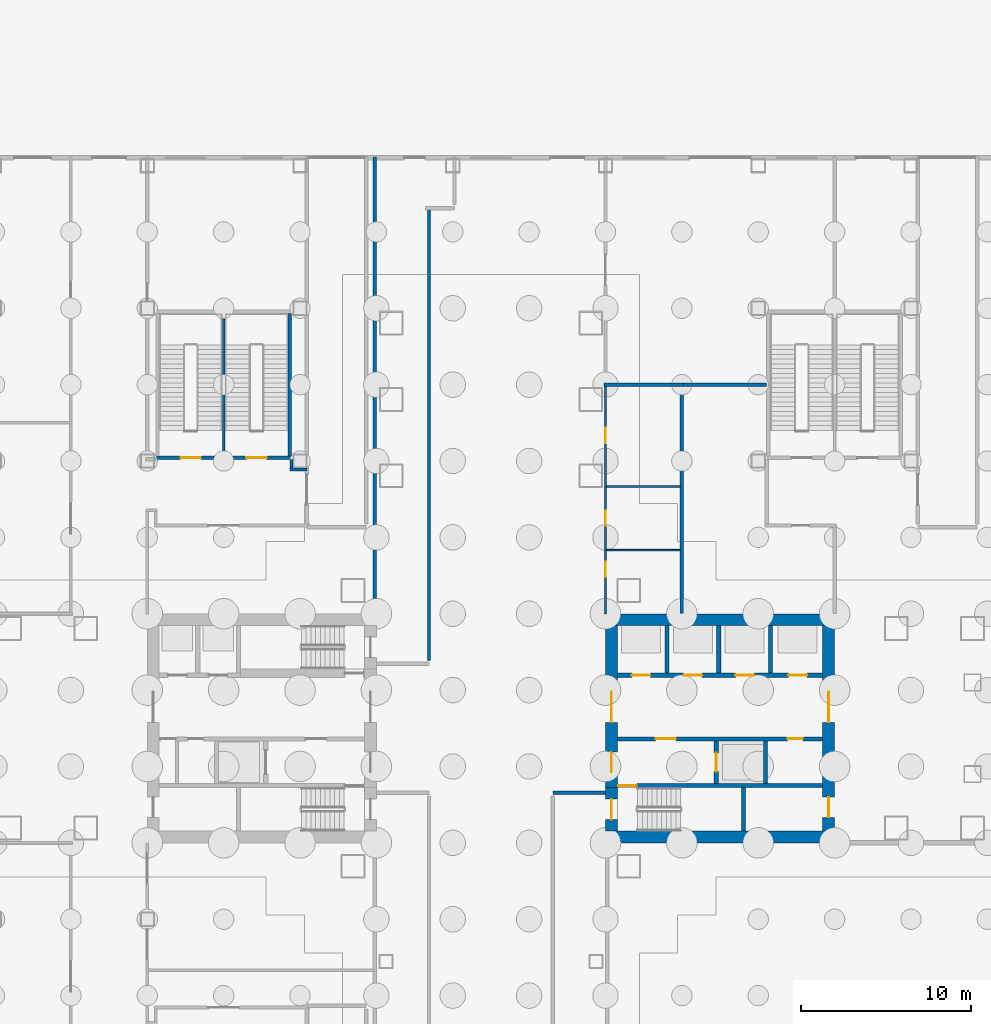
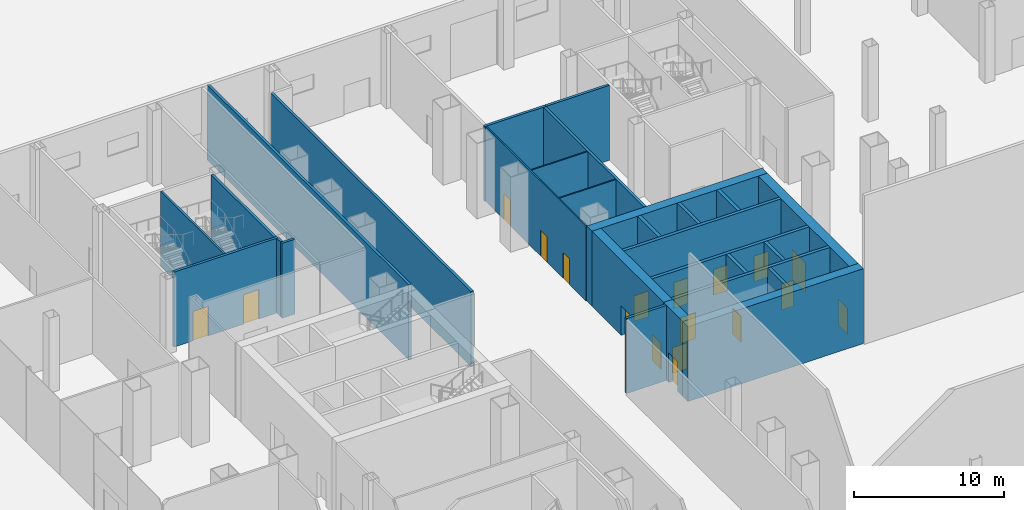
# One storey, part 19 of 37: 28 walls, 18 doors, 18 openings.
"""IFC4 building model written with IfcOpenShell, lengths in metres."""

from ifc_helpers import new_model, si_unit, direction, frame, frame_2d, origin, place, context, subcontext, project, spatial, rectangle, extrude, material, layer, layer_set, type_object, element, fill, save


model = new_model("IFC4")

# Units and contexts
model_context = context("Model", 3, precision=1e-05, world=origin(), true_north=direction((0.0, 1.0)))
body_context = subcontext(model_context, "Body", "Model", "MODEL_VIEW")
ifc_project = project(units=[si_unit("LENGTHUNIT", "METRE"), si_unit("AREAUNIT", "SQUARE_METRE"), si_unit("VOLUMEUNIT", "CUBIC_METRE"), si_unit("PLANEANGLEUNIT", "RADIAN"), si_unit("MASSUNIT", "GRAM", prefix="KILO")], contexts=[model_context])

# Site, building, storey
site_placement = place(None, origin())
site = spatial("IfcSite", under=ifc_project, at=site_placement, CompositionType="ELEMENT")
building_placement = place(site_placement, origin())
building = spatial("IfcBuilding", under=site, at=building_placement, Name="Shamsa Quay Exchange Towers", CompositionType="ELEMENT")
storey_placement = place(building_placement, origin())
storey = spatial("IfcBuildingStorey", under=building, at=storey_placement, Name="L00", CompositionType="ELEMENT", Elevation=0.0)

# Walls
ifc_material_1 = material(Name="Concrete C80/95", Category="concrete")
ifc_layer_1 = layer(ifc_material_1, 0.699951171875)
ifc_layer_set_1 = layer_set([ifc_layer_1], Name="CORE WALL 700 C80/95")
wall_type_1 = type_object("IfcWallType", Name="CORE WALL 700 C80/95", PredefinedType="SHEAR", material=ifc_layer_set_1)
for number, where, name in (
    (1, (-27.0, -6.39990234375, 0.0), "Core wall T1A-L00-PS"),
    (2, (-27.0, 6.39990234375, 0.0), "Core wall T1A-L00-PN"),
):
    element("IfcWall", number, at=place(storey_placement, frame(where)), inside=storey, type_object=wall_type_1, Name=name, PredefinedType="SHEAR", context=body_context, shape_type="SweptSolid", body=[
        extrude(rectangle(XDim=13.5, YDim=0.699951171875, at=frame_2d((6.75, 0.0))), origin(), (0.0, 0.0, 1.0), 6.10009765625),
    ])

# Wall, opening, door
wall_1_placement = place(storey_placement, frame((-26.64990234375, -6.050048828125, 0.0), z_axis=(0.0, 0.0, 1.0), x_axis=(0.0, 1.0, 0.0)))
wall_1 = element("IfcWall", 3, at=wall_1_placement, inside=storey, type_object=wall_type_1, Name="Core wall T1A-L00-PFS", PredefinedType="SHEAR", context=body_context, shape_type="SweptSolid", body=[
    extrude(rectangle(XDim=2.550048828125, YDim=0.699951171875, at=frame_2d((1.27490234375, 0.0))), origin(), (0.0, 0.0, 1.0), 6.10009765625),
])
opening_1_placement = place(wall_1_placement, frame((0.675048828125, 0.0, 0.0)))
opening_1 = element("IfcOpeningElement", 4, at=opening_1_placement, cuts=wall_1, Name="Opening T1A-L00-XD01", PredefinedType="OPENING", context=body_context, shape_type="SweptSolid", body=[
    extrude(rectangle(XDim=1.199951171875, YDim=2.39990234375, at=frame_2d((0.60009765625, 1.199951171875))), frame((0.0, 0.35986328125, 0.0), z_axis=(0.0, -1.0, 0.0), x_axis=(1.0, 0.0, 0.0)), (0.0, 0.0, 1.0), 0.719970703125),
])
ifc_material_2 = material(Name="Steel, fire rated", Category="steel")
door_type_1 = type_object("IfcDoorType", Name="STAIR DISCHARGE DOOR 1200", OperationType="SINGLE_SWING_LEFT", PredefinedType="DOOR", material=ifc_material_2)
door_1_placement = place(opening_1_placement, origin())
door_1 = element("IfcDoor", 5, at=door_1_placement, inside=storey, type_object=door_type_1, Name="T1A-L00-XD01", OperationType="SINGLE_SWING_LEFT", OverallHeight=2.39990234375, OverallWidth=1.199951171875, PredefinedType="DOOR", context=body_context, shape_type="SweptSolid", body=[
    extrude(rectangle(XDim=1.199951171875, YDim=2.39990234375, at=frame_2d((0.60009765625, 1.199951171875))), frame((0.0, 0.02490234375, 0.0), z_axis=(0.0, -1.0, 0.0), x_axis=(1.0, 0.0, 0.0)), (0.0, 0.0, 1.0), 0.050048828125),
])
fill(opening_1, door_1)

# Wall, openings, doors
wall_2_placement = place(storey_placement, frame((-26.64990234375, 6.050048828125, 0.0), z_axis=(0.0, 0.0, 1.0), x_axis=(0.0, -1.0, 0.0)))
wall_2 = element("IfcWall", 6, at=wall_2_placement, inside=storey, type_object=wall_type_1, Name="Core wall T1A-L00-PF", PredefinedType="SHEAR", context=body_context, shape_type="SweptSolid", body=[
    extrude(rectangle(XDim=9.550048828125, YDim=0.699951171875, at=frame_2d((4.77490234375, 0.0))), origin(), (0.0, 0.0, 1.0), 6.10009765625),
])
opening_2_placement = place(wall_2_placement, frame((7.449951171875, 0.0, 0.0)))
opening_2 = element("IfcOpeningElement", 7, at=opening_2_placement, cuts=wall_2, Name="Opening T1A-L00-FD02", PredefinedType="OPENING", context=body_context, shape_type="SweptSolid", body=[
    extrude(rectangle(XDim=1.199951171875, YDim=2.10009765625, at=frame_2d((0.60009765625, 1.050048828125))), frame((0.0, 0.35986328125, 0.0), z_axis=(0.0, -1.0, 0.0), x_axis=(1.0, 0.0, 0.0)), (0.0, 0.0, 1.0), 0.719970703125),
])
opening_3_placement = place(wall_2_placement, frame((3.89990234375, 0.0, 0.0)))
opening_3 = element("IfcOpeningElement", 8, at=opening_3_placement, cuts=wall_2, Name="Opening T1A-L00-LBD03", PredefinedType="OPENING", context=body_context, shape_type="SweptSolid", body=[
    extrude(rectangle(XDim=1.800048828125, YDim=2.39990234375, at=frame_2d((0.89990234375, 1.199951171875))), frame((0.0, 0.35986328125, 0.0), z_axis=(0.0, -1.0, 0.0), x_axis=(1.0, 0.0, 0.0)), (0.0, 0.0, 1.0), 0.719970703125),
])
door_type_2 = type_object("IfcDoorType", Name="FIRE SERVICE LOBBY DOOR 1200", OperationType="SINGLE_SWING_LEFT", PredefinedType="DOOR", material=ifc_material_2)
door_2_placement = place(opening_2_placement, origin())
door_2 = element("IfcDoor", 9, at=door_2_placement, inside=storey, type_object=door_type_2, Name="T1A-L00-FD02", OperationType="SINGLE_SWING_RIGHT", OverallHeight=2.10009765625, OverallWidth=1.199951171875, PredefinedType="DOOR", context=body_context, shape_type="SweptSolid", body=[
    extrude(rectangle(XDim=1.199951171875, YDim=2.10009765625, at=frame_2d((0.60009765625, 1.050048828125))), frame((0.0, 0.02490234375, 0.0), z_axis=(0.0, -1.0, 0.0), x_axis=(1.0, 0.0, 0.0)), (0.0, 0.0, 1.0), 0.050048828125),
])
fill(opening_2, door_2)
door_type_3 = type_object("IfcDoorType", Name="LIFT LOBBY DOOR PAIR 1800", OperationType="DOUBLE_DOOR_SINGLE_SWING", PredefinedType="DOOR", material=ifc_material_2)
door_3_placement = place(opening_3_placement, origin())
door_3 = element("IfcDoor", 10, at=door_3_placement, inside=storey, type_object=door_type_3, Name="T1A-L00-LBD03", OperationType="DOUBLE_DOOR_SINGLE_SWING", OverallHeight=2.39990234375, OverallWidth=1.800048828125, PredefinedType="DOOR", context=body_context, shape_type="SweptSolid", body=[
    extrude(rectangle(XDim=1.800048828125, YDim=2.39990234375, at=frame_2d((0.89990234375, 1.199951171875))), frame((0.0, 0.02490234375, 0.0), z_axis=(0.0, -1.0, 0.0), x_axis=(1.0, 0.0, 0.0)), (0.0, 0.0, 1.0), 0.050048828125),
])
fill(opening_3, door_3)

wall_3_placement = place(storey_placement, frame((-13.85009765625, 6.050048828125, 0.0), z_axis=(0.0, 0.0, 1.0), x_axis=(0.0, -1.0, 0.0)))
wall_3 = element("IfcWall", 11, at=wall_3_placement, inside=storey, type_object=wall_type_1, Name="Core wall T1A-L00-PB", PredefinedType="SHEAR", context=body_context, shape_type="SweptSolid", body=[
    extrude(rectangle(XDim=12.10009765625, YDim=0.699951171875, at=frame_2d((6.050048828125, 0.0))), origin(), (0.0, 0.0, 1.0), 6.10009765625),
])
opening_4_placement = place(wall_3_placement, frame((10.10009765625, 0.0, 0.0)))
opening_4 = element("IfcOpeningElement", 12, at=opening_4_placement, cuts=wall_3, Name="Opening T1A-L00-RD04", PredefinedType="OPENING", context=body_context, shape_type="SweptSolid", body=[
    extrude(rectangle(XDim=1.199951171875, YDim=2.10009765625, at=frame_2d((0.60009765625, 1.050048828125))), frame((0.0, 0.35986328125, 0.0), z_axis=(0.0, -1.0, 0.0), x_axis=(1.0, 0.0, 0.0)), (0.0, 0.0, 1.0), 0.719970703125),
])
opening_5_placement = place(wall_3_placement, frame((3.89990234375, 0.0, 0.0)))
opening_5 = element("IfcOpeningElement", 13, at=opening_5_placement, cuts=wall_3, Name="Opening T1A-L00-LBD05", PredefinedType="OPENING", context=body_context, shape_type="SweptSolid", body=[
    extrude(rectangle(XDim=1.800048828125, YDim=2.39990234375, at=frame_2d((0.89990234375, 1.199951171875))), frame((0.0, 0.35986328125, 0.0), z_axis=(0.0, -1.0, 0.0), x_axis=(1.0, 0.0, 0.0)), (0.0, 0.0, 1.0), 0.719970703125),
])
door_4_placement = place(opening_5_placement, origin())
door_4 = element("IfcDoor", 14, at=door_4_placement, inside=storey, type_object=door_type_3, Name="T1A-L00-LBD05", OperationType="DOUBLE_DOOR_SINGLE_SWING", OverallHeight=2.39990234375, OverallWidth=1.800048828125, PredefinedType="DOOR", context=body_context, shape_type="SweptSolid", body=[
    extrude(rectangle(XDim=1.800048828125, YDim=2.39990234375, at=frame_2d((0.89990234375, 1.199951171875))), frame((0.0, 0.02490234375, 0.0), z_axis=(0.0, -1.0, 0.0), x_axis=(1.0, 0.0, 0.0)), (0.0, 0.0, 1.0), 0.050048828125),
])
fill(opening_5, door_4)
door_type_4 = type_object("IfcDoorType", Name="RISER ACCESS DOOR 1200", OperationType="SINGLE_SWING_LEFT", PredefinedType="DOOR", material=ifc_material_2)
door_5_placement = place(opening_4_placement, origin())
door_5 = element("IfcDoor", 15, at=door_5_placement, inside=storey, type_object=door_type_4, Name="T1A-L00-RD04", OperationType="SINGLE_SWING_RIGHT", OverallHeight=2.10009765625, OverallWidth=1.199951171875, PredefinedType="DOOR", context=body_context, shape_type="SweptSolid", body=[
    extrude(rectangle(XDim=1.199951171875, YDim=2.10009765625, at=frame_2d((0.60009765625, 1.050048828125))), frame((0.0, 0.02490234375, 0.0), z_axis=(0.0, -1.0, 0.0), x_axis=(1.0, 0.0, 0.0)), (0.0, 0.0, 1.0), 0.050048828125),
])
fill(opening_4, door_5)

ifc_material_3 = material(Name="Gypsum board partition on metal studs")
ifc_layer_2 = layer(ifc_material_3, 0.10009765625)
ifc_layer_set_2 = layer_set([ifc_layer_2], Name="Partition 100 mm NOT RATED")
wall_type_2 = type_object("IfcWallType", Name="Partition 100 mm NOT RATED", PredefinedType="PARTITIONING", material=ifc_layer_set_2)
wall_4_placement = place(storey_placement, frame((-27.0, 20.14990234375, 0.0), z_axis=(0.0, 0.0, 1.0), x_axis=(0.0, -1.0, 0.0)))
wall_4 = element("IfcWall", 16, at=wall_4_placement, inside=storey, type_object=wall_type_2, Name="Partition PD-L00-W42", PredefinedType="PARTITIONING", context=body_context, shape_type="SweptSolid", body=[
    extrude(rectangle(XDim=13.39990234375, YDim=0.10009765625, at=frame_2d((6.699951171875, 0.0))), origin(), (0.0, 0.0, 1.0), 6.10009765625),
])
opening_6_placement = place(wall_4_placement, frame((2.449951171875, 0.0, 0.0)))
opening_6 = element("IfcOpeningElement", 17, at=opening_6_placement, cuts=wall_4, Name="Opening PD-L00-D15", PredefinedType="OPENING", context=body_context, shape_type="SweptSolid", body=[
    extrude(rectangle(XDim=0.89990234375, YDim=2.10009765625, at=frame_2d((0.449951171875, 1.050048828125))), frame((0.0, 0.06005859375, 0.0), z_axis=(0.0, -1.0, 0.0), x_axis=(1.0, 0.0, 0.0)), (0.0, 0.0, 1.0), 0.1201171875),
])
opening_7_placement = place(wall_4_placement, frame((7.324951171875, 0.0, 0.0)))
opening_7 = element("IfcOpeningElement", 18, at=opening_7_placement, cuts=wall_4, Name="Opening PD-L00-D16", PredefinedType="OPENING", context=body_context, shape_type="SweptSolid", body=[
    extrude(rectangle(XDim=0.89990234375, YDim=2.10009765625, at=frame_2d((0.449951171875, 1.050048828125))), frame((0.0, 0.06005859375, 0.0), z_axis=(0.0, -1.0, 0.0), x_axis=(1.0, 0.0, 0.0)), (0.0, 0.0, 1.0), 0.1201171875),
])
opening_8_placement = place(wall_4_placement, frame((10.324951171875, 0.0, 0.0)))
opening_8 = element("IfcOpeningElement", 19, at=opening_8_placement, cuts=wall_4, Name="Opening PD-L00-D17", PredefinedType="OPENING", context=body_context, shape_type="SweptSolid", body=[
    extrude(rectangle(XDim=0.89990234375, YDim=2.10009765625, at=frame_2d((0.449951171875, 1.050048828125))), frame((0.0, 0.06005859375, 0.0), z_axis=(0.0, -1.0, 0.0), x_axis=(1.0, 0.0, 0.0)), (0.0, 0.0, 1.0), 0.1201171875),
])
ifc_material_4 = material(Name="Timber door leaf in a metal frame", Category="wood")
door_type_5 = type_object("IfcDoorType", Name="Door 900x2100 NOT RATED", OperationType="NOTDEFINED", PredefinedType="DOOR", material=ifc_material_4)
door_6_placement = place(opening_6_placement, origin())
door_6 = element("IfcDoor", 20, at=door_6_placement, inside=storey, type_object=door_type_5, Name="Door PD-L00-D15", OperationType="SINGLE_SWING_LEFT", OverallHeight=2.10009765625, OverallWidth=0.89990234375, PredefinedType="DOOR", context=body_context, shape_type="SweptSolid", body=[
    extrude(rectangle(XDim=0.89990234375, YDim=2.10009765625, at=frame_2d((0.449951171875, 1.050048828125))), frame((0.0, 0.02490234375, 0.0), z_axis=(0.0, -1.0, 0.0), x_axis=(1.0, 0.0, 0.0)), (0.0, 0.0, 1.0), 0.050048828125),
])
fill(opening_6, door_6)
door_7_placement = place(opening_7_placement, origin())
door_7 = element("IfcDoor", 21, at=door_7_placement, inside=storey, type_object=door_type_5, Name="Door PD-L00-D16", OperationType="SINGLE_SWING_RIGHT", OverallHeight=2.10009765625, OverallWidth=0.89990234375, PredefinedType="DOOR", context=body_context, shape_type="SweptSolid", body=[
    extrude(rectangle(XDim=0.89990234375, YDim=2.10009765625, at=frame_2d((0.449951171875, 1.050048828125))), frame((0.0, 0.02490234375, 0.0), z_axis=(0.0, -1.0, 0.0), x_axis=(1.0, 0.0, 0.0)), (0.0, 0.0, 1.0), 0.050048828125),
])
fill(opening_7, door_7)
door_8_placement = place(opening_8_placement, origin())
door_8 = element("IfcDoor", 22, at=door_8_placement, inside=storey, type_object=door_type_5, Name="Door PD-L00-D17", OperationType="SINGLE_SWING_LEFT", OverallHeight=2.10009765625, OverallWidth=0.89990234375, PredefinedType="DOOR", context=body_context, shape_type="SweptSolid", body=[
    extrude(rectangle(XDim=0.89990234375, YDim=2.10009765625, at=frame_2d((0.449951171875, 1.050048828125))), frame((0.0, 0.02490234375, 0.0), z_axis=(0.0, -1.0, 0.0), x_axis=(1.0, 0.0, 0.0)), (0.0, 0.0, 1.0), 0.050048828125),
])
fill(opening_8, door_8)

# Walls
for number, where, z_axis, x_axis, name in (
    (23, (-22.60009765625, 10.5, 0.0), (0.0, 0.0, 1.0), (-1.0, 0.0, 0.0), "Partition PD-L00-W104"),
    (24, (-22.60009765625, 14.25, 0.0), (0.0, 0.0, 1.0), (-1.0, 0.0, 0.0), "Partition PD-L00-W105"),
):
    element("IfcWall", number, at=place(storey_placement, frame(where, z_axis=z_axis, x_axis=x_axis)), inside=storey, type_object=wall_type_2, Name=name, PredefinedType="PARTITIONING", context=body_context, shape_type="SweptSolid", body=[
        extrude(rectangle(XDim=4.349853515625, YDim=0.10009765625, at=frame_2d((2.1748046875, 0.0))), origin(), (0.0, 0.0, 1.0), 6.10009765625),
    ])
ifc_layer_3 = layer(ifc_material_3, 0.199951171875)
ifc_layer_set_3 = layer_set([ifc_layer_3], Name="Partition 200 mm EI 120")
wall_type_3 = type_object("IfcWallType", Name="Partition 200 mm EI 120", PredefinedType="PARTITIONING", material=ifc_layer_set_3)
wall_5_placement = place(storey_placement, frame((-27.0, -3.80029296875, 0.0), z_axis=(0.0, 0.0, 1.0), x_axis=(-1.0, 0.0, 0.0)))
element("IfcWall", 25, at=wall_5_placement, inside=storey, type_object=wall_type_3, Name="Partition PD-L00-W05", PredefinedType="PARTITIONING", context=body_context, shape_type="SweptSolid", body=[
    extrude(rectangle(XDim=3.10009765625, YDim=0.199951171875, at=frame_2d((1.550048828125, 0.0))), origin(), (0.0, 0.0, 1.0), 6.10009765625),
])
wall_6_placement = place(storey_placement, frame((-37.39990234375, 4.00048828125, 0.0), z_axis=(0.0, 0.0, 1.0), x_axis=(0.0, 1.0, 0.0)))
element("IfcWall", 26, at=wall_6_placement, inside=storey, type_object=wall_type_3, Name="Partition PD-L00-W09", PredefinedType="PARTITIONING", context=body_context, shape_type="SweptSolid", body=[
    extrude(rectangle(XDim=26.6494140625, YDim=0.199951171875, at=frame_2d((13.32470703125, 0.0))), origin(), (0.0, 0.0, 1.0), 6.10009765625),
])
wall_7_placement = place(storey_placement, frame((-40.60009765625, 33.655029296875, 0.0), z_axis=(0.0, 0.0, 1.0), x_axis=(0.0, -1.0, 0.0)))
element("IfcWall", 27, at=wall_7_placement, inside=storey, type_object=wall_type_3, Name="Partition PD-L00-W12", PredefinedType="PARTITIONING", context=body_context, shape_type="SweptSolid", body=[
    extrude(rectangle(XDim=26.905029296875, YDim=0.199951171875, at=frame_2d((13.45263671875, 0.0))), origin(), (0.0, 0.0, 1.0), 6.10009765625),
])
wall_8_placement = place(storey_placement, frame((-22.39990234375, 20.25, 0.0), z_axis=(0.0, 0.0, 1.0), x_axis=(-1.0, 0.0, 0.0)))
element("IfcWall", 28, at=wall_8_placement, inside=storey, type_object=wall_type_3, Name="Partition PD-L00-W106", PredefinedType="PARTITIONING", context=body_context, shape_type="SweptSolid", body=[
    extrude(rectangle(XDim=4.7001953125, YDim=0.199951171875, at=frame_2d((2.35009765625, 0.0))), origin(), (0.0, 0.0, 1.0), 6.10009765625),
])
ifc_layer_4 = layer(ifc_material_3, 0.199951171875)
ifc_layer_set_4 = layer_set([ifc_layer_4], Name="Partition 200 mm EI 90")
wall_type_4 = type_object("IfcWallType", Name="Partition 200 mm EI 90", PredefinedType="PARTITIONING", material=ifc_layer_set_4)
wall_9_placement = place(storey_placement, frame((-45.5, 15.849609375, 0.0), z_axis=(0.0, 0.0, 1.0), x_axis=(0.0, -1.0, 0.0)))
element("IfcWall", 29, at=wall_9_placement, inside=storey, type_object=wall_type_4, Name="Partition PD-L00-W81", PredefinedType="PARTITIONING", context=body_context, shape_type="SweptSolid", body=[
    extrude(rectangle(XDim=0.49951171875, YDim=0.199951171875, at=frame_2d((0.249755859375, 0.0))), origin(), (0.0, 0.0, 1.0), 6.10009765625),
])
wall_10_placement = place(storey_placement, frame((-45.60009765625, 15.25, 0.0)))
element("IfcWall", 30, at=wall_10_placement, inside=storey, type_object=wall_type_4, Name="Partition PD-L00-W82", PredefinedType="PARTITIONING", context=body_context, shape_type="SweptSolid", body=[
    extrude(rectangle(XDim=1.0, YDim=0.199951171875, at=frame_2d((0.5, 0.0))), origin(), (0.0, 0.0, 1.0), 6.10009765625),
])
wall_11_placement = place(storey_placement, frame((-22.5, 20.14990234375, 0.0), z_axis=(0.0, 0.0, 1.0), x_axis=(0.0, -1.0, 0.0)))
element("IfcWall", 31, at=wall_11_placement, inside=storey, type_object=wall_type_4, Name="Partition PD-L00-W102", PredefinedType="PARTITIONING", context=body_context, shape_type="SweptSolid", body=[
    extrude(rectangle(XDim=13.39990234375, YDim=0.199951171875, at=frame_2d((6.699951171875, 0.0))), origin(), (0.0, 0.0, 1.0), 6.10009765625),
])
wall_12_placement = place(storey_placement, frame((-17.5, 20.25, 0.0), z_axis=(0.0, 0.0, 1.0), x_axis=(-1.0, 0.0, 0.0)))
element("IfcWall", 32, at=wall_12_placement, inside=storey, type_object=wall_type_4, Name="Partition PD-L00-W103", PredefinedType="PARTITIONING", context=body_context, shape_type="SweptSolid", body=[
    extrude(rectangle(XDim=5.10009765625, YDim=0.199951171875, at=frame_2d((2.550048828125, 0.0))), origin(), (0.0, 0.0, 1.0), 6.10009765625),
])

# Wall, opening, door
ifc_material_5 = material(Name="Concrete C50/60", Category="concrete")
ifc_layer_5 = layer(ifc_material_5, 0.25)
ifc_layer_set_5 = layer_set([ifc_layer_5], Name="SHAFT WALL 250 C50/60")
wall_type_5 = type_object("IfcWallType", Name="SHAFT WALL 250 C50/60", PredefinedType="SHEAR", material=ifc_layer_set_5)
wall_13_placement = place(storey_placement, frame((-14.199951171875, -3.375, 0.0), z_axis=(0.0, 0.0, 1.0), x_axis=(-1.0, 0.0, 0.0)))
wall_13 = element("IfcWall", 33, at=wall_13_placement, inside=storey, type_object=wall_type_5, Name="Shaft wall T1A-L00-STL", PredefinedType="SHEAR", context=body_context, shape_type="SweptSolid", body=[
    extrude(rectangle(XDim=12.10009765625, YDim=0.25, at=frame_2d((6.050048828125, 0.0))), origin(), (0.0, 0.0, 1.0), 6.10009765625),
])
opening_9_placement = place(wall_13_placement, frame((10.949951171875, 0.0, 0.0)))
opening_9 = element("IfcOpeningElement", 34, at=opening_9_placement, cuts=wall_13, Name="Opening T1A-L00-SD06", PredefinedType="OPENING", context=body_context, shape_type="SweptSolid", body=[
    extrude(rectangle(XDim=1.10009765625, YDim=2.10009765625, at=frame_2d((0.550048828125, 1.050048828125))), frame((0.0, 0.135009765625, 0.0), z_axis=(0.0, -1.0, 0.0), x_axis=(1.0, 0.0, 0.0)), (0.0, 0.0, 1.0), 0.27001953125),
])
door_type_6 = type_object("IfcDoorType", Name="STAIR DOOR 1100", OperationType="SINGLE_SWING_LEFT", PredefinedType="DOOR", material=ifc_material_2)
door_9_placement = place(opening_9_placement, origin())
door_9 = element("IfcDoor", 35, at=door_9_placement, inside=storey, type_object=door_type_6, Name="T1A-L00-SD06", OperationType="SINGLE_SWING_RIGHT", OverallHeight=2.10009765625, OverallWidth=1.10009765625, PredefinedType="DOOR", context=body_context, shape_type="SweptSolid", body=[
    extrude(rectangle(XDim=1.10009765625, YDim=2.10009765625, at=frame_2d((0.550048828125, 1.050048828125))), frame((0.0, 0.02490234375, 0.0), z_axis=(0.0, -1.0, 0.0), x_axis=(1.0, 0.0, 0.0)), (0.0, 0.0, 1.0), 0.050048828125),
])
fill(opening_9, door_9)

# Wall
wall_14_placement = place(storey_placement, frame((-18.875, -6.050048828125, 0.0), z_axis=(0.0, 0.0, 1.0), x_axis=(0.0, 1.0, 0.0)))
element("IfcWall", 36, at=wall_14_placement, inside=storey, type_object=wall_type_5, Name="Shaft wall T1A-L00-STF", PredefinedType="SHEAR", context=body_context, shape_type="SweptSolid", body=[
    extrude(rectangle(XDim=2.550048828125, YDim=0.25, at=frame_2d((1.27490234375, 0.0))), origin(), (0.0, 0.0, 1.0), 6.10009765625),
])

# Wall, openings, doors
wall_15_placement = place(storey_placement, frame((-14.199951171875, -0.625, 0.0), z_axis=(0.0, 0.0, 1.0), x_axis=(-1.0, 0.0, 0.0)))
wall_15 = element("IfcWall", 37, at=wall_15_placement, inside=storey, type_object=wall_type_5, Name="Shaft wall T1A-L00-B", PredefinedType="SHEAR", context=body_context, shape_type="SweptSolid", body=[
    extrude(rectangle(XDim=12.10009765625, YDim=0.25, at=frame_2d((6.050048828125, 0.0))), origin(), (0.0, 0.0, 1.0), 6.10009765625),
])
opening_10_placement = place(wall_15_placement, frame((8.64990234375, 0.0, 0.0)))
opening_10 = element("IfcOpeningElement", 38, at=opening_10_placement, cuts=wall_15, Name="Opening T1A-L00-FD07", PredefinedType="OPENING", context=body_context, shape_type="SweptSolid", body=[
    extrude(rectangle(XDim=1.199951171875, YDim=2.10009765625, at=frame_2d((0.60009765625, 1.050048828125))), frame((0.0, 0.135009765625, 0.0), z_axis=(0.0, -1.0, 0.0), x_axis=(1.0, 0.0, 0.0)), (0.0, 0.0, 1.0), 0.27001953125),
])
opening_11_placement = place(wall_15_placement, frame((1.175048828125, 0.0, 0.0)))
opening_11 = element("IfcOpeningElement", 39, at=opening_11_placement, cuts=wall_15, Name="Opening T1A-L00-SV08", PredefinedType="OPENING", context=body_context, shape_type="SweptSolid", body=[
    extrude(rectangle(XDim=0.89990234375, YDim=2.10009765625, at=frame_2d((0.449951171875, 1.050048828125))), frame((0.0, 0.135009765625, 0.0), z_axis=(0.0, -1.0, 0.0), x_axis=(1.0, 0.0, 0.0)), (0.0, 0.0, 1.0), 0.27001953125),
])
door_10_placement = place(opening_10_placement, origin())
door_10 = element("IfcDoor", 40, at=door_10_placement, inside=storey, type_object=door_type_2, Name="T1A-L00-FD07", OperationType="SINGLE_SWING_RIGHT", OverallHeight=2.10009765625, OverallWidth=1.199951171875, PredefinedType="DOOR", context=body_context, shape_type="SweptSolid", body=[
    extrude(rectangle(XDim=1.199951171875, YDim=2.10009765625, at=frame_2d((0.60009765625, 1.050048828125))), frame((0.0, 0.02490234375, 0.0), z_axis=(0.0, -1.0, 0.0), x_axis=(1.0, 0.0, 0.0)), (0.0, 0.0, 1.0), 0.050048828125),
])
fill(opening_10, door_10)
door_type_7 = type_object("IfcDoorType", Name="SERVICE ROOM DOOR 900", OperationType="SINGLE_SWING_LEFT", PredefinedType="DOOR", material=ifc_material_2)
door_11_placement = place(opening_11_placement, origin())
door_11 = element("IfcDoor", 41, at=door_11_placement, inside=storey, type_object=door_type_7, Name="T1A-L00-SV08", OperationType="SINGLE_SWING_LEFT", OverallHeight=2.10009765625, OverallWidth=0.89990234375, PredefinedType="DOOR", context=body_context, shape_type="SweptSolid", body=[
    extrude(rectangle(XDim=0.89990234375, YDim=2.10009765625, at=frame_2d((0.449951171875, 1.050048828125))), frame((0.0, 0.02490234375, 0.0), z_axis=(0.0, -1.0, 0.0), x_axis=(1.0, 0.0, 0.0)), (0.0, 0.0, 1.0), 0.050048828125),
])
fill(opening_11, door_11)

# Wall, opening, door
wall_16_placement = place(storey_placement, frame((-20.47509765625, -3.25, 0.0), z_axis=(0.0, 0.0, 1.0), x_axis=(0.0, 1.0, 0.0)))
wall_16 = element("IfcWall", 42, at=wall_16_placement, inside=storey, type_object=wall_type_5, Name="Shaft wall T1A-L00-FFF", PredefinedType="SHEAR", context=body_context, shape_type="SweptSolid", body=[
    extrude(rectangle(XDim=2.5, YDim=0.25, at=frame_2d((1.25, 0.0))), origin(), (0.0, 0.0, 1.0), 6.10009765625),
])
opening_12_placement = place(wall_16_placement, frame((0.699951171875, 0.0, 0.0)))
opening_12 = element("IfcOpeningElement", 43, at=opening_12_placement, cuts=wall_16, Name="Opening T1A-L00-LDF09", PredefinedType="OPENING", context=body_context, shape_type="SweptSolid", body=[
    extrude(rectangle(XDim=1.10009765625, YDim=2.10009765625, at=frame_2d((0.550048828125, 1.050048828125))), frame((0.0, 0.135009765625, 0.0), z_axis=(0.0, -1.0, 0.0), x_axis=(1.0, 0.0, 0.0)), (0.0, 0.0, 1.0), 0.27001953125),
])
door_type_8 = type_object("IfcDoorType", Name="FIRE SERVICE LANDING DOOR 1100", OperationType="SLIDING_TO_LEFT", PredefinedType="DOOR", material=ifc_material_2)
door_12_placement = place(opening_12_placement, origin())
door_12 = element("IfcDoor", 44, at=door_12_placement, inside=storey, type_object=door_type_8, Name="T1A-L00-LDF09", OperationType="SLIDING_TO_LEFT", OverallHeight=2.10009765625, OverallWidth=1.10009765625, PredefinedType="DOOR", context=body_context, shape_type="SweptSolid", body=[
    extrude(rectangle(XDim=1.10009765625, YDim=2.10009765625, at=frame_2d((0.550048828125, 1.050048828125))), frame((0.0, 0.02490234375, 0.0), z_axis=(0.0, -1.0, 0.0), x_axis=(1.0, 0.0, 0.0)), (0.0, 0.0, 1.0), 0.050048828125),
])
fill(opening_12, door_12)

# Wall
wall_17_placement = place(storey_placement, frame((-17.574951171875, -3.25, 0.0), z_axis=(0.0, 0.0, 1.0), x_axis=(0.0, 1.0, 0.0)))
element("IfcWall", 45, at=wall_17_placement, inside=storey, type_object=wall_type_5, Name="Shaft wall T1A-L00-FFB", PredefinedType="SHEAR", context=body_context, shape_type="SweptSolid", body=[
    extrude(rectangle(XDim=2.5, YDim=0.25, at=frame_2d((1.25, 0.0))), origin(), (0.0, 0.0, 1.0), 6.10009765625),
])

# Wall, openings, doors
wall_18_placement = place(storey_placement, frame((-26.300048828125, 3.125, 0.0)))
wall_18 = element("IfcWall", 46, at=wall_18_placement, inside=storey, type_object=wall_type_5, Name="Shaft wall T1A-L00-N", PredefinedType="SHEAR", context=body_context, shape_type="SweptSolid", body=[
    extrude(rectangle(XDim=12.10009765625, YDim=0.25, at=frame_2d((6.050048828125, 0.0))), origin(), (0.0, 0.0, 1.0), 6.10009765625),
])
opening_13_placement = place(wall_18_placement, frame((0.85009765625, 0.0, 0.0)))
opening_13 = element("IfcOpeningElement", 47, at=opening_13_placement, cuts=wall_18, Name="Opening T1A-L00-LD10", PredefinedType="OPENING", context=body_context, shape_type="SweptSolid", body=[
    extrude(rectangle(XDim=1.10009765625, YDim=2.10009765625, at=frame_2d((0.550048828125, 1.050048828125))), frame((0.0, 0.135009765625, 0.0), z_axis=(0.0, -1.0, 0.0), x_axis=(1.0, 0.0, 0.0)), (0.0, 0.0, 1.0), 0.27001953125),
])
opening_14_placement = place(wall_18_placement, frame((3.89990234375, 0.0, 0.0)))
opening_14 = element("IfcOpeningElement", 48, at=opening_14_placement, cuts=wall_18, Name="Opening T1A-L00-LD11", PredefinedType="OPENING", context=body_context, shape_type="SweptSolid", body=[
    extrude(rectangle(XDim=1.10009765625, YDim=2.10009765625, at=frame_2d((0.550048828125, 1.050048828125))), frame((0.0, 0.135009765625, 0.0), z_axis=(0.0, -1.0, 0.0), x_axis=(1.0, 0.0, 0.0)), (0.0, 0.0, 1.0), 0.27001953125),
])
opening_15_placement = place(wall_18_placement, frame((6.949951171875, 0.0, 0.0)))
opening_15 = element("IfcOpeningElement", 49, at=opening_15_placement, cuts=wall_18, Name="Opening T1A-L00-LD12", PredefinedType="OPENING", context=body_context, shape_type="SweptSolid", body=[
    extrude(rectangle(XDim=1.10009765625, YDim=2.10009765625, at=frame_2d((0.550048828125, 1.050048828125))), frame((0.0, 0.135009765625, 0.0), z_axis=(0.0, -1.0, 0.0), x_axis=(1.0, 0.0, 0.0)), (0.0, 0.0, 1.0), 0.27001953125),
])
opening_16_placement = place(wall_18_placement, frame((10.074951171875, 0.0, 0.0)))
opening_16 = element("IfcOpeningElement", 50, at=opening_16_placement, cuts=wall_18, Name="Opening T1A-L00-LD13", PredefinedType="OPENING", context=body_context, shape_type="SweptSolid", body=[
    extrude(rectangle(XDim=1.10009765625, YDim=2.10009765625, at=frame_2d((0.550048828125, 1.050048828125))), frame((0.0, 0.135009765625, 0.0), z_axis=(0.0, -1.0, 0.0), x_axis=(1.0, 0.0, 0.0)), (0.0, 0.0, 1.0), 0.27001953125),
])
door_type_9 = type_object("IfcDoorType", Name="LANDING DOOR 1100", OperationType="SLIDING_TO_LEFT", PredefinedType="DOOR", material=ifc_material_2)
door_13_placement = place(opening_13_placement, origin())
door_13 = element("IfcDoor", 51, at=door_13_placement, inside=storey, type_object=door_type_9, Name="T1A-L00-LD10", OperationType="SLIDING_TO_LEFT", OverallHeight=2.10009765625, OverallWidth=1.10009765625, PredefinedType="DOOR", context=body_context, shape_type="SweptSolid", body=[
    extrude(rectangle(XDim=1.10009765625, YDim=2.10009765625, at=frame_2d((0.550048828125, 1.050048828125))), frame((0.0, 0.02490234375, 0.0), z_axis=(0.0, -1.0, 0.0), x_axis=(1.0, 0.0, 0.0)), (0.0, 0.0, 1.0), 0.050048828125),
])
fill(opening_13, door_13)
door_14_placement = place(opening_14_placement, origin())
door_14 = element("IfcDoor", 52, at=door_14_placement, inside=storey, type_object=door_type_9, Name="T1A-L00-LD11", OperationType="SLIDING_TO_LEFT", OverallHeight=2.10009765625, OverallWidth=1.10009765625, PredefinedType="DOOR", context=body_context, shape_type="SweptSolid", body=[
    extrude(rectangle(XDim=1.10009765625, YDim=2.10009765625, at=frame_2d((0.550048828125, 1.050048828125))), frame((0.0, 0.02490234375, 0.0), z_axis=(0.0, -1.0, 0.0), x_axis=(1.0, 0.0, 0.0)), (0.0, 0.0, 1.0), 0.050048828125),
])
fill(opening_14, door_14)
door_15_placement = place(opening_15_placement, origin())
door_15 = element("IfcDoor", 53, at=door_15_placement, inside=storey, type_object=door_type_9, Name="T1A-L00-LD12", OperationType="SLIDING_TO_LEFT", OverallHeight=2.10009765625, OverallWidth=1.10009765625, PredefinedType="DOOR", context=body_context, shape_type="SweptSolid", body=[
    extrude(rectangle(XDim=1.10009765625, YDim=2.10009765625, at=frame_2d((0.550048828125, 1.050048828125))), frame((0.0, 0.02490234375, 0.0), z_axis=(0.0, -1.0, 0.0), x_axis=(1.0, 0.0, 0.0)), (0.0, 0.0, 1.0), 0.050048828125),
])
fill(opening_15, door_15)
door_16_placement = place(opening_16_placement, origin())
door_16 = element("IfcDoor", 54, at=door_16_placement, inside=storey, type_object=door_type_9, Name="T1A-L00-LD13", OperationType="SLIDING_TO_LEFT", OverallHeight=2.10009765625, OverallWidth=1.10009765625, PredefinedType="DOOR", context=body_context, shape_type="SweptSolid", body=[
    extrude(rectangle(XDim=1.10009765625, YDim=2.10009765625, at=frame_2d((0.550048828125, 1.050048828125))), frame((0.0, 0.02490234375, 0.0), z_axis=(0.0, -1.0, 0.0), x_axis=(1.0, 0.0, 0.0)), (0.0, 0.0, 1.0), 0.050048828125),
])
fill(opening_16, door_16)

# Walls
for number, where, z_axis, x_axis, name in (
    (55, (-23.375, 3.25, 0.0), (0.0, 0.0, 1.0), (0.0, 1.0, 0.0), "Shaft wall T1A-L00-D0"),
    (56, (-20.324951171875, 3.25, 0.0), (0.0, 0.0, 1.0), (0.0, 1.0, 0.0), "Shaft wall T1A-L00-D1"),
    (57, (-17.27490234375, 3.25, 0.0), (0.0, 0.0, 1.0), (0.0, 1.0, 0.0), "Shaft wall T1A-L00-D2"),
):
    element("IfcWall", number, at=place(storey_placement, frame(where, z_axis=z_axis, x_axis=x_axis)), inside=storey, type_object=wall_type_5, Name=name, PredefinedType="SHEAR", context=body_context, shape_type="SweptSolid", body=[
        extrude(rectangle(XDim=2.800048828125, YDim=0.25, at=frame_2d((1.39990234375, 0.0))), origin(), (0.0, 0.0, 1.0), 6.10009765625),
    ])

# Wall, openings, doors
ifc_layer_6 = layer(ifc_material_5, 0.199951171875)
ifc_layer_set_6 = layer_set([ifc_layer_6], Name="STAIR ENCLOSURE WALL 200 C50/60")
wall_type_6 = type_object("IfcWallType", Name="STAIR ENCLOSURE WALL 200 C50/60", PredefinedType="SHEAR", material=ifc_layer_set_6)
wall_19_placement = place(storey_placement, frame((-53.5, 15.949951171875, 0.0)))
wall_19 = element("IfcWall", 58, at=wall_19_placement, inside=storey, type_object=wall_type_6, Name="Stair enclosure wall PS1 inward", PredefinedType="SHEAR", context=body_context, shape_type="SweptSolid", body=[
    extrude(rectangle(XDim=8.0, YDim=0.199951171875, at=frame_2d((4.0, 0.0))), origin(), (0.0, 0.0, 1.0), 6.10009765625),
])
opening_17_placement = place(wall_19_placement, frame((1.46240234375, 0.0, 0.0)))
opening_17 = element("IfcOpeningElement", 59, at=opening_17_placement, cuts=wall_19, Name="Opening PS1A-L00-SD01", PredefinedType="OPENING", context=body_context, shape_type="SweptSolid", body=[
    extrude(rectangle(XDim=1.199951171875, YDim=2.39990234375, at=frame_2d((0.60009765625, 1.199951171875))), frame((0.0, 0.10986328125, 0.0), z_axis=(0.0, -1.0, 0.0), x_axis=(1.0, 0.0, 0.0)), (0.0, 0.0, 1.0), 0.219970703125),
])
opening_18_placement = place(wall_19_placement, frame((5.33740234375, 0.0, 0.0)))
opening_18 = element("IfcOpeningElement", 60, at=opening_18_placement, cuts=wall_19, Name="Opening PS1B-L00-SD01", PredefinedType="OPENING", context=body_context, shape_type="SweptSolid", body=[
    extrude(rectangle(XDim=1.199951171875, YDim=2.39990234375, at=frame_2d((0.60009765625, 1.199951171875))), frame((0.0, 0.10986328125, 0.0), z_axis=(0.0, -1.0, 0.0), x_axis=(1.0, 0.0, 0.0)), (0.0, 0.0, 1.0), 0.219970703125),
])
door_type_10 = type_object("IfcDoorType", Name="PODIUM STAIR DOOR 1200", OperationType="SINGLE_SWING_LEFT", PredefinedType="DOOR", material=ifc_material_2)
door_17_placement = place(opening_17_placement, origin())
door_17 = element("IfcDoor", 61, at=door_17_placement, inside=storey, type_object=door_type_10, Name="PS1A-L00-SD01", OperationType="SINGLE_SWING_LEFT", OverallHeight=2.39990234375, OverallWidth=1.199951171875, PredefinedType="DOOR", context=body_context, shape_type="SweptSolid", body=[
    extrude(rectangle(XDim=1.199951171875, YDim=2.39990234375, at=frame_2d((0.60009765625, 1.199951171875))), frame((0.0, 0.02490234375, 0.0), z_axis=(0.0, -1.0, 0.0), x_axis=(1.0, 0.0, 0.0)), (0.0, 0.0, 1.0), 0.050048828125),
])
fill(opening_17, door_17)
door_18_placement = place(opening_18_placement, origin())
door_18 = element("IfcDoor", 62, at=door_18_placement, inside=storey, type_object=door_type_10, Name="PS1B-L00-SD01", OperationType="SINGLE_SWING_RIGHT", OverallHeight=2.39990234375, OverallWidth=1.199951171875, PredefinedType="DOOR", context=body_context, shape_type="SweptSolid", body=[
    extrude(rectangle(XDim=1.199951171875, YDim=2.39990234375, at=frame_2d((0.60009765625, 1.199951171875))), frame((0.0, 0.02490234375, 0.0), z_axis=(0.0, -1.0, 0.0), x_axis=(1.0, 0.0, 0.0)), (0.0, 0.0, 1.0), 0.050048828125),
])
fill(opening_18, door_18)

# Walls
wall_20_placement = place(storey_placement, frame((-45.60009765625, 16.050048828125, 0.0), z_axis=(0.0, 0.0, 1.0), x_axis=(0.0, 1.0, 0.0)))
element("IfcWall", 63, at=wall_20_placement, inside=storey, type_object=wall_type_6, Name="Stair enclosure wall PS1 east", PredefinedType="SHEAR", context=body_context, shape_type="SweptSolid", body=[
    extrude(rectangle(XDim=8.39990234375, YDim=0.199951171875, at=frame_2d((4.199951171875, 0.0))), origin(), (0.0, 0.0, 1.0), 6.10009765625),
])
ifc_layer_7 = layer(ifc_material_5, 0.14990234375)
ifc_layer_set_7 = layer_set([ifc_layer_7], Name="STAIR PARTITION WALL 150 C50/60")
wall_type_7 = type_object("IfcWallType", Name="STAIR PARTITION WALL 150 C50/60", PredefinedType="SHEAR", material=ifc_layer_set_7)
wall_21_placement = place(storey_placement, frame((-49.5, 16.050048828125, 0.0), z_axis=(0.0, 0.0, 1.0), x_axis=(0.0, 1.0, 0.0)))
element("IfcWall", 64, at=wall_21_placement, inside=storey, type_object=wall_type_7, Name="Stair enclosure wall PS1 between the stairs", PredefinedType="SHEAR", context=body_context, shape_type="SweptSolid", body=[
    extrude(rectangle(XDim=8.39990234375, YDim=0.14990234375, at=frame_2d((4.199951171875, 0.0))), origin(), (0.0, 0.0, 1.0), 6.10009765625),
])

save(model, "model.ifc")
